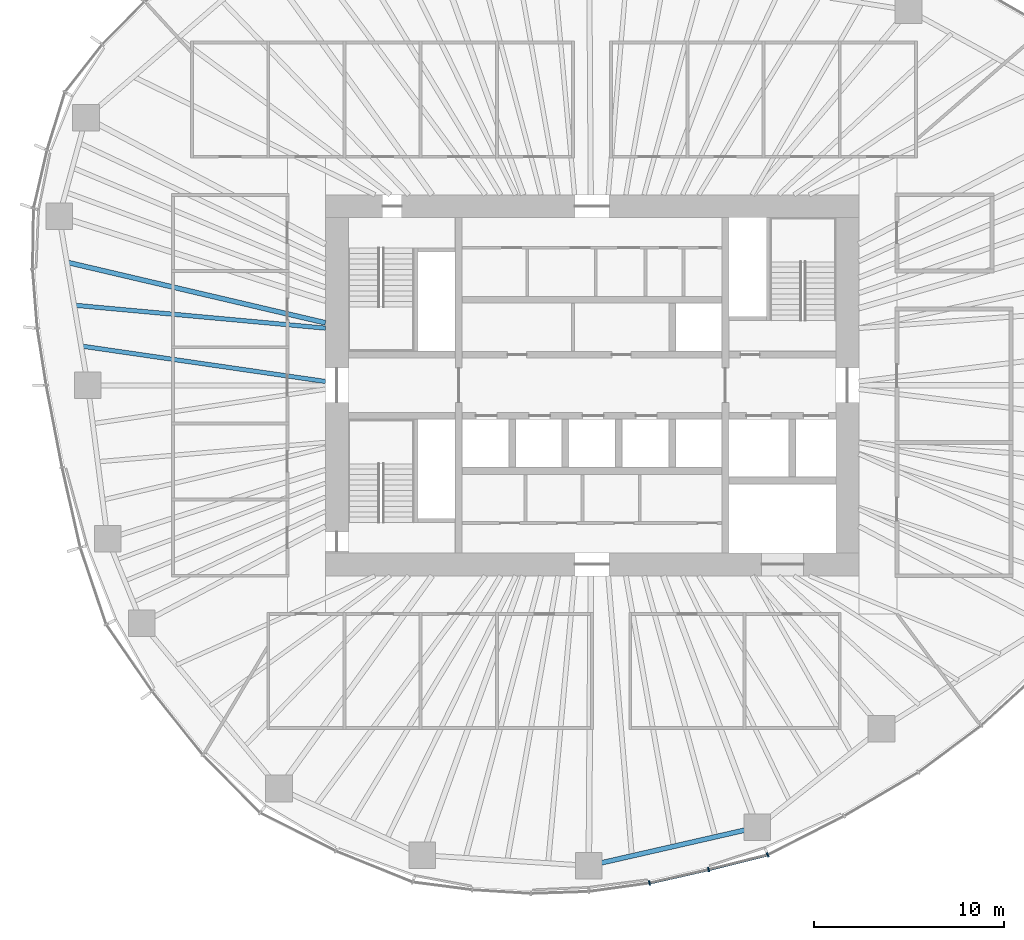
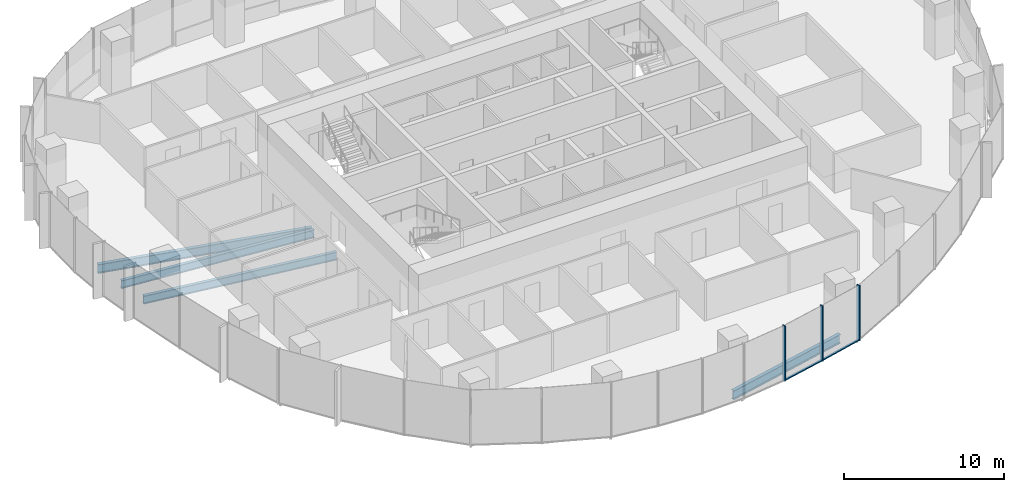
# One storey, part 3 of 18: 5 members, 4 beams, 2 elements without a shape of their own.
"""IFC4 building model written with IfcOpenShell, lengths in metres."""

from ifc_helpers import new_model, si_unit, direction, frame, origin, origin_2d, place, context, subcontext, project, spatial, rectangle, i_section, extrude, material, material_profile, profile_set, type_object, element, aggregate, save


model = new_model("IFC4")

# Units and contexts
model_context = context("Model", 3, precision=1e-05, world=origin(), true_north=direction((0.0, 1.0)))
body_context = subcontext(model_context, "Body", "Model", "MODEL_VIEW")
ifc_project = project(units=[si_unit("LENGTHUNIT", "METRE"), si_unit("AREAUNIT", "SQUARE_METRE"), si_unit("VOLUMEUNIT", "CUBIC_METRE"), si_unit("PLANEANGLEUNIT", "RADIAN"), si_unit("MASSUNIT", "GRAM", prefix="KILO")], contexts=[model_context])

# Site, building, storey
site_placement = place(None, origin())
site = spatial("IfcSite", under=ifc_project, at=site_placement, CompositionType="ELEMENT")
building_placement = place(site_placement, origin())
building = spatial("IfcBuilding", under=site, at=building_placement, Name="Ghaith Harvest Tower", CompositionType="ELEMENT")
storey_placement = place(building_placement, frame((0.0, 0.0, 168.0)))
storey = spatial("IfcBuildingStorey", under=building, at=storey_placement, Name="L36", CompositionType="ELEMENT", Elevation=168.0)

# Curtain wall, members
ifc_material_1 = material(Name="Black anodised aluminium and fritted glass", Category="aluminium")
curtain_wall_type = type_object("IfcCurtainWallType", Name="CW-L CURTAIN WALL", PredefinedType="NOTDEFINED", material=ifc_material_1)
curtain_wall_1_placement = place(storey_placement, origin())
curtain_wall_1 = element("IfcCurtainWall", 1, at=curtain_wall_1_placement, inside=storey, type_object=curtain_wall_type, Name="Curtain wall CW-L bay 16 L36", PredefinedType="NOTDEFINED")
ifc_material_2 = material(Name="Aluminium, black anodised", Category="aluminium")
ifc_material_profile_1 = material_profile(ifc_material_2, rectangle(XDim=0.080078125, YDim=0.239990234375, at=origin_2d()), Name="CW-L MULLION 80x240")
ifc_profile_set_1 = profile_set([ifc_material_profile_1], Name="Aluminium, black anodised")
member_type_1 = type_object("IfcMemberType", Name="CW-L MULLION 80x240", PredefinedType="MULLION", material=ifc_profile_set_1)
member_1_placement = place(storey_placement, frame((3.010009765625, -26.12939453125, 0.0), z_axis=(0.0, 0.0, 1.0), x_axis=(0.983806317978, 0.179234842337, 0.0)))
member_1 = element("IfcMember", 2, at=member_1_placement, type_object=member_type_1, Name="CW-L mullion 2 bay 16 L36", PredefinedType="MULLION", context=body_context, shape_type="SweptSolid", body=[
    extrude(rectangle(XDim=0.080078125, YDim=0.239990234375, at=origin_2d()), origin(), (0.0, 0.0, 1.0), 4.199951171875),
])
member_2_placement = place(storey_placement, frame((6.1201171875, -25.425537109375, 0.0), z_axis=(0.0, 0.0, 1.0), x_axis=(0.972918144681, 0.231149916179, 0.0)))
member_2 = element("IfcMember", 3, at=member_2_placement, type_object=member_type_1, Name="CW-L mullion 3 bay 16 L36", PredefinedType="MULLION", context=body_context, shape_type="SweptSolid", body=[
    extrude(rectangle(XDim=0.080078125, YDim=0.239990234375, at=origin_2d()), origin(), (0.0, 0.0, 1.0), 4.199951171875),
])

# Curtain wall, member
curtain_wall_2_placement = place(storey_placement, origin())
curtain_wall_2 = element("IfcCurtainWall", 4, at=curtain_wall_2_placement, inside=storey, type_object=curtain_wall_type, Name="Curtain wall CW-L bay 17 L36", PredefinedType="NOTDEFINED")
member_3_placement = place(storey_placement, frame((9.216796875, -24.654541015625, 0.0), z_axis=(0.0, 0.0, 1.0), x_axis=(0.929831847154, 0.367984695358, 0.0)))
member_3 = element("IfcMember", 5, at=member_3_placement, type_object=member_type_1, Name="CW-L mullion 1 bay 17 L36", PredefinedType="MULLION", context=body_context, shape_type="SweptSolid", body=[
    extrude(rectangle(XDim=0.080078125, YDim=0.239990234375, at=origin_2d()), origin(), (0.0, 0.0, 1.0), 4.199951171875),
])
aggregate(curtain_wall_2, [member_3])

# Member
ifc_material_3 = material(Name="Aluminium, black anodised", Category="aluminium")
ifc_material_profile_2 = material_profile(ifc_material_3, rectangle(XDim=0.14990234375, YDim=0.080078125, at=origin_2d()), Name="CW-L TRANSOM 150x80")
ifc_profile_set_2 = profile_set([ifc_material_profile_2], Name="Aluminium, black anodised")
member_type_2 = type_object("IfcMemberType", Name="CW-L TRANSOM 150x80", PredefinedType="USERDEFINED", material=ifc_profile_set_2)
member_4_placement = place(storey_placement, frame((3.048828125, -26.120361328125, 0.0400390625), z_axis=(0.975352213651, 0.22065370907, 0.0), x_axis=(-0.22065370907, 0.975352213651, 0.0)))
member_4 = element("IfcMember", 6, at=member_4_placement, type_object=member_type_2, Name="CW-L transom 2 bay 16 L36", ObjectType="TRANSOM", PredefinedType="USERDEFINED", context=body_context, shape_type="SweptSolid", body=[
    extrude(rectangle(XDim=0.14990234375, YDim=0.080078125, at=origin_2d()), origin(), (0.0, 0.0, 1.0), 3.109130859375),
])

member_5_placement = place(storey_placement, frame((6.158935546875, -25.415771484375, 0.0400390625), z_axis=(0.97039125345, 0.241538434265, 0.0), x_axis=(-0.241538434265, 0.97039125345, 0.0)))
member_5 = element("IfcMember", 7, at=member_5_placement, type_object=member_type_2, Name="CW-L transom 3 bay 16 L36", ObjectType="TRANSOM", PredefinedType="USERDEFINED", context=body_context, shape_type="SweptSolid", body=[
    extrude(rectangle(XDim=0.14990234375, YDim=0.080078125, at=origin_2d()), origin(), (0.0, 0.0, 1.0), 3.111083984375),
])

aggregate(curtain_wall_1, [member_1, member_4, member_2, member_5])

# Beams
ifc_material_4 = material(Name="Steel ASTM A992 Grade 50", Category="steel")
ifc_material_profile_3 = material_profile(ifc_material_4, i_section(OverallWidth=0.25390625, OverallDepth=0.68408203125, WebThickness=0.012451171875, FlangeThickness=0.018798828125, at=origin_2d()), Name="W690X140")
ifc_profile_set_3 = profile_set([ifc_material_profile_3], Name="Steel ASTM A992 Grade 50")
beam_type_1 = type_object("IfcBeamType", Name="E690-140 W690X140", PredefinedType="SPANDREL", material=ifc_profile_set_3)
beam_1_placement = place(storey_placement, frame((-0.173095703125, -25.22412109375, -0.511962890625), z_axis=(0.974881709383, 0.22272326486, 0.0), x_axis=(-0.22272326486, 0.974881709383, 0.0)))
element("IfcBeam", 8, at=beam_1_placement, inside=storey, type_object=beam_type_1, Name="Edge beam E16 L36", PredefinedType="SPANDREL", context=body_context, shape_type="SweptSolid", body=[
    extrude(i_section(OverallWidth=0.25390625, OverallDepth=0.68408203125, WebThickness=0.012451171875, FlangeThickness=0.018798828125, at=origin_2d()), origin(), (0.0, 0.0, 1.0), 9.0751953125),
])
ifc_material_5 = material(Name="Steel ASTM A992 Grade 50", Category="steel")
ifc_material_profile_4 = material_profile(ifc_material_5, i_section(OverallWidth=0.22900390625, OverallDepth=0.612060546875, WebThickness=0.011962890625, FlangeThickness=0.01953125, at=origin_2d()), Name="W610X125")
ifc_profile_set_4 = profile_set([ifc_material_profile_4], Name="Steel ASTM A992 Grade 50")
beam_type_2 = type_object("IfcBeamType", Name="J610-125 W610X125", PredefinedType="JOIST", material=ifc_profile_set_4)
beam_2_placement = place(storey_placement, frame((-14.0, 3.0, -0.47607421875), z_axis=(-0.995849123151, 0.091019360137, 0.0), x_axis=(-0.091019360137, -0.995849123151, 0.0)))
element("IfcBeam", 9, at=beam_2_placement, inside=storey, type_object=beam_type_2, Name="Joist J10.2 L36", PredefinedType="JOIST", context=body_context, shape_type="SweptSolid", body=[
    extrude(i_section(OverallWidth=0.22900390625, OverallDepth=0.612060546875, WebThickness=0.011962890625, FlangeThickness=0.01953125, at=origin_2d()), origin(), (0.0, 0.0, 1.0), 13.2451171875),
])
beam_3_placement = place(storey_placement, frame((-14.0, 0.199951171875, -0.47607421875), z_axis=(-0.989622120656, 0.143694322465, 0.0), x_axis=(-0.143694322465, -0.989622120656, 0.0)))
element("IfcBeam", 10, at=beam_3_placement, inside=storey, type_object=beam_type_2, Name="Joist J10.3 L36", PredefinedType="JOIST", context=body_context, shape_type="SweptSolid", body=[
    extrude(i_section(OverallWidth=0.22900390625, OverallDepth=0.612060546875, WebThickness=0.011962890625, FlangeThickness=0.01953125, at=origin_2d()), origin(), (0.0, 0.0, 1.0), 12.960205078125),
])
ifc_material_6 = material(Name="Steel ASTM A992 Grade 50", Category="steel")
ifc_material_profile_5 = material_profile(ifc_material_6, i_section(OverallWidth=0.25390625, OverallDepth=0.68408203125, WebThickness=0.012451171875, FlangeThickness=0.018798828125, at=origin_2d()), Name="W690X140")
ifc_profile_set_5 = profile_set([ifc_material_profile_5], Name="Steel ASTM A992 Grade 50")
beam_type_3 = type_object("IfcBeamType", Name="J690-140 W690X140", PredefinedType="JOIST", material=ifc_profile_set_5)
beam_4_placement = place(storey_placement, frame((-14.0, 3.280517578125, -0.511962890625), z_axis=(-0.973623240284, 0.228161753978, 0.0), x_axis=(-0.228161753978, -0.973623240284, 0.0)))
element("IfcBeam", 11, at=beam_4_placement, inside=storey, type_object=beam_type_3, Name="Joist J10.1 L36", PredefinedType="JOIST", context=body_context, shape_type="SweptSolid", body=[
    extrude(i_section(OverallWidth=0.25390625, OverallDepth=0.68408203125, WebThickness=0.012451171875, FlangeThickness=0.018798828125, at=origin_2d()), origin(), (0.0, 0.0, 1.0), 13.94140625),
])

save(model, "model.ifc")
